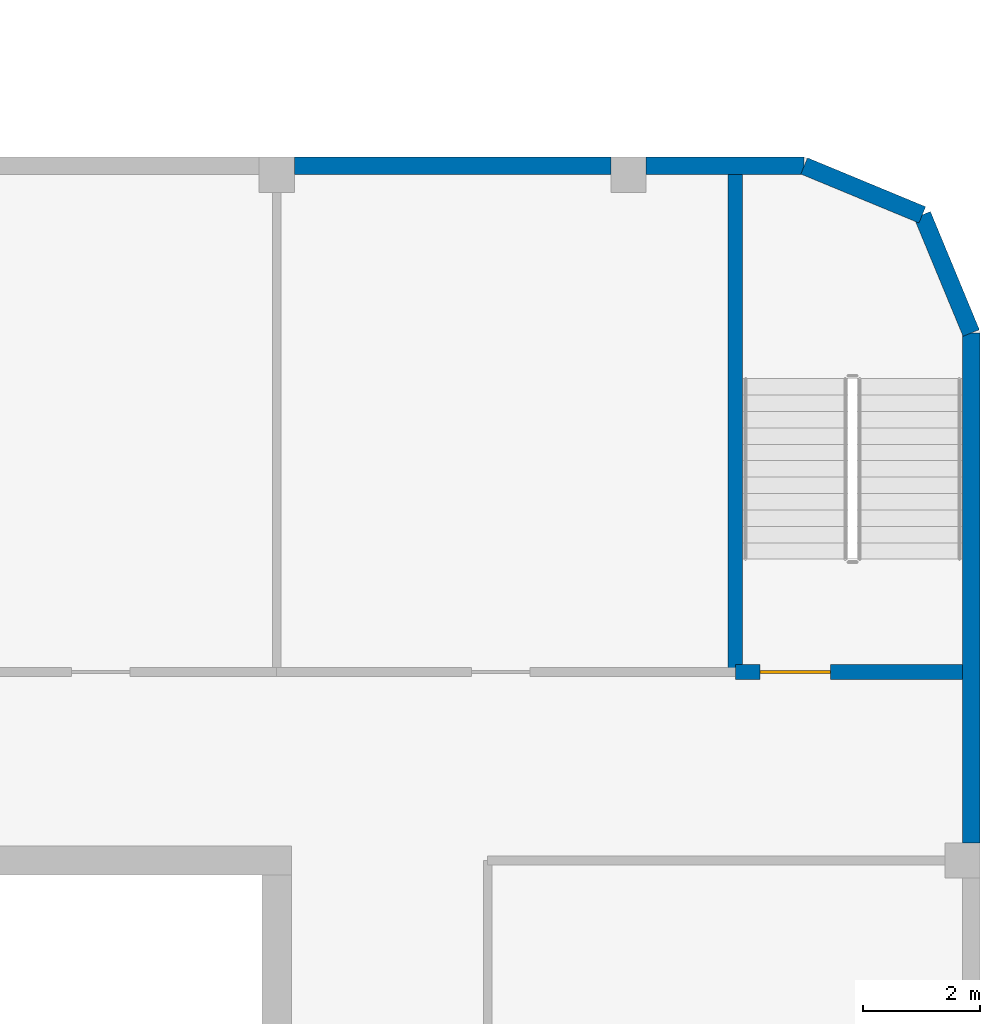
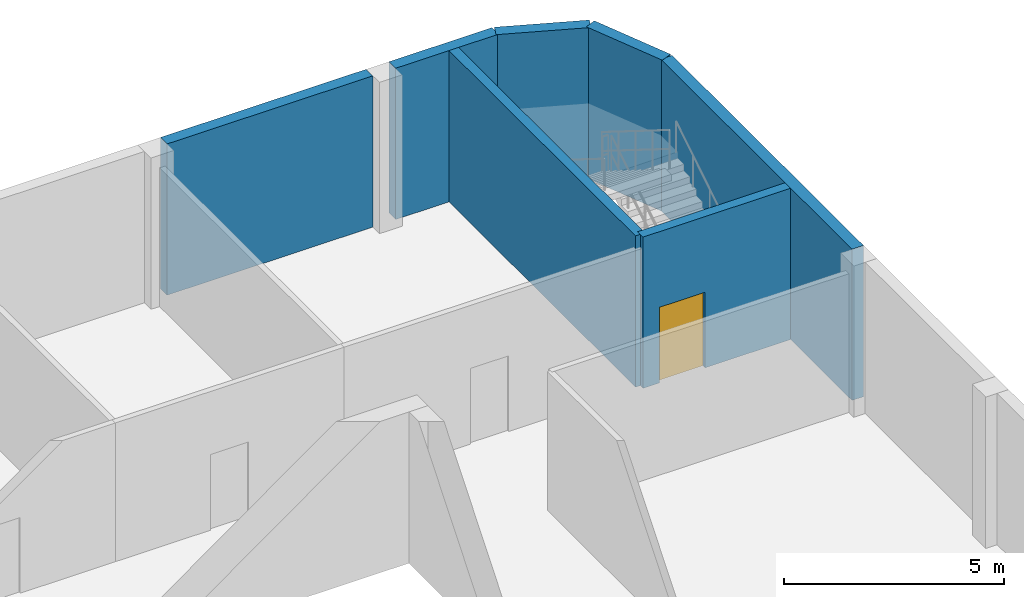
# One storey, part 30 of 47: 7 walls, 1 door, 1 opening.
"""IFC4 building model written with IfcOpenShell, lengths in metres."""

from ifc_helpers import new_model, si_unit, direction, frame, frame_2d, origin, place, context, subcontext, project, spatial, rectangle, extrude, material, layer, layer_set, type_object, element, fill, save


model = new_model("IFC4")

# Units and contexts
model_context = context("Model", 3, precision=1e-05, world=origin(), true_north=direction((0.0, 1.0)))
body_context = subcontext(model_context, "Body", "Model", "MODEL_VIEW")
ifc_project = project(units=[si_unit("LENGTHUNIT", "METRE"), si_unit("AREAUNIT", "SQUARE_METRE"), si_unit("VOLUMEUNIT", "CUBIC_METRE"), si_unit("PLANEANGLEUNIT", "RADIAN"), si_unit("MASSUNIT", "GRAM", prefix="KILO")], contexts=[model_context])

# Site, building, storey
site_placement = place(None, origin())
site = spatial("IfcSite", under=ifc_project, at=site_placement, CompositionType="ELEMENT")
building_placement = place(site_placement, origin())
building = spatial("IfcBuilding", under=site, at=building_placement, Name="Nakaniwa Court", CompositionType="ELEMENT")
storey_placement = place(building_placement, frame((0.0, 0.0, 15.60009765625)))
storey = spatial("IfcBuildingStorey", under=building, at=storey_placement, Name="L03", CompositionType="ELEMENT", Elevation=15.60009765625)

# Walls
ifc_material_1 = material(Name="Concrete C50/60", Category="concrete")
ifc_layer_1 = layer(ifc_material_1, 0.300048828125)
ifc_layer_set_1 = layer_set([ifc_layer_1], Name="Concrete C50/60")
wall_type_1 = type_object("IfcWallType", Name="Fair faced concrete wall 300", PredefinedType="SOLIDWALL", material=ifc_layer_set_1)
wall_1_placement = place(storey_placement, frame((206.300048828125, 103.85009765625, 0.0), z_axis=(0.0, 0.0, 1.0), x_axis=(1.0, 0.0, 0.0)))
element("IfcWall", 1, at=wall_1_placement, inside=storey, type_object=wall_type_1, Name="Facade wall L03 20", PredefinedType="SOLIDWALL", context=body_context, shape_type="SweptSolid", body=[
    extrude(rectangle(XDim=5.39990234375, YDim=0.300048828125, at=frame_2d((2.699951171875, 0.0))), origin(), (0.0, 0.0, 1.0), 4.199951171875),
])
wall_2_placement = place(storey_placement, frame((212.300048828125, 103.85009765625, 0.0), z_axis=(0.0, 0.0, 1.0), x_axis=(1.0, 0.0, 0.0)))
element("IfcWall", 2, at=wall_2_placement, inside=storey, type_object=wall_type_1, Name="Facade wall L03 21", PredefinedType="SOLIDWALL", context=body_context, shape_type="SweptSolid", body=[
    extrude(rectangle(XDim=2.699951171875, YDim=0.300048828125, at=frame_2d((1.35009765625, 0.0))), origin(), (0.0, 0.0, 1.0), 4.199951171875),
])
for number, where, z_axis, x_axis, name in (
    (3, (215.0, 103.85009765625, 0.0), (0.0, 0.0, 1.0), (0.923892706888, -0.382651625058, 0.0), "Facade wall L03 22"),
    (4, (217.015380859375, 103.015380859375, 0.0), (0.0, 0.0, 1.0), (0.382651625058, -0.923892706888, 0.0), "Facade wall L03 23"),
):
    element("IfcWall", number, at=place(storey_placement, frame(where, z_axis=z_axis, x_axis=x_axis)), inside=storey, type_object=wall_type_1, Name=name, PredefinedType="SOLIDWALL", context=body_context, shape_type="SweptSolid", body=[
        extrude(rectangle(XDim=2.181396484375, YDim=0.300048828125, at=frame_2d((1.0908203125, 0.0))), origin(), (0.0, 0.0, 1.0), 4.199951171875),
    ])
wall_3_placement = place(storey_placement, frame((217.85009765625, 101.0, 0.0), z_axis=(0.0, 0.0, 1.0), x_axis=(0.0, -1.0, 0.0)))
element("IfcWall", 5, at=wall_3_placement, inside=storey, type_object=wall_type_1, Name="Facade wall L03 24", PredefinedType="SOLIDWALL", context=body_context, shape_type="SweptSolid", body=[
    extrude(rectangle(XDim=8.699951171875, YDim=0.300048828125, at=frame_2d((4.35009765625, 0.0))), origin(), (0.0, 0.0, 1.0), 4.199951171875),
])

# Wall, opening, door
ifc_material_2 = material(Name="Concrete C40/50", Category="concrete")
ifc_layer_2 = layer(ifc_material_2, 0.25)
ifc_layer_set_2 = layer_set([ifc_layer_2], Name="Concrete C40/50")
wall_type_2 = type_object("IfcWallType", Name="Fire isolated shaft wall RC 250", PredefinedType="SOLIDWALL", material=ifc_layer_set_2)
wall_4_placement = place(storey_placement, frame((213.824951171875, 95.215087890625, 0.0), z_axis=(0.0, 0.0, 1.0), x_axis=(1.0, 0.0, 0.0)))
wall_4 = element("IfcWall", 6, at=wall_4_placement, inside=storey, type_object=wall_type_2, Name="L03 shaft wall 47", PredefinedType="SOLIDWALL", context=body_context, shape_type="SweptSolid", body=[
    extrude(rectangle(XDim=3.875, YDim=0.25, at=frame_2d((1.9375, 0.0))), origin(), (0.0, 0.0, 1.0), 4.199951171875),
])
opening_placement = place(wall_4_placement, frame((0.425048828125, 0.0, 0.0)))
opening = element("IfcOpeningElement", 7, at=opening_placement, cuts=wall_4, Name="Opening HD-127", PredefinedType="OPENING", context=body_context, shape_type="SweptSolid", body=[
    extrude(rectangle(XDim=1.199951171875, YDim=2.10009765625, at=frame_2d((0.60009765625, 1.050048828125))), frame((0.0, 0.135009765625, 0.0), z_axis=(0.0, -1.0, 0.0), x_axis=(1.0, 0.0, 0.0)), (0.0, 0.0, 1.0), 0.27001953125),
])
ifc_material_3 = material(Name="Insulated steel door leaf in steel frame", Category="steel")
door_type = type_object("IfcDoorType", Name="Hall stair door 1200x2100", OperationType="SINGLE_SWING_LEFT", PredefinedType="DOOR", material=ifc_material_3)
door_placement = place(opening_placement, origin())
door = element("IfcDoor", 8, at=door_placement, inside=storey, type_object=door_type, Name="L03 door Exit-stair-H4", OperationType="SINGLE_SWING_RIGHT", OverallHeight=2.10009765625, OverallWidth=1.199951171875, PredefinedType="DOOR", context=body_context, shape_type="SweptSolid", body=[
    extrude(rectangle(XDim=1.199951171875, YDim=2.10009765625, at=frame_2d((0.60009765625, 1.050048828125))), frame((0.0, 0.02490234375, 0.0), z_axis=(0.0, -1.0, 0.0), x_axis=(1.0, 0.0, 0.0)), (0.0, 0.0, 1.0), 0.050048828125),
])
fill(opening, door)

# Wall
wall_5_placement = place(storey_placement, frame((213.824951171875, 95.215087890625, 0.0), z_axis=(0.0, 0.0, 1.0), x_axis=(0.0, 1.0, 0.0)))
element("IfcWall", 9, at=wall_5_placement, inside=storey, type_object=wall_type_2, Name="L03 shaft wall 48", PredefinedType="SOLIDWALL", context=body_context, shape_type="SweptSolid", body=[
    extrude(rectangle(XDim=8.48486328125, YDim=0.25, at=frame_2d((4.242431640625, 0.0))), origin(), (0.0, 0.0, 1.0), 4.199951171875),
])

save(model, "model.ifc")
